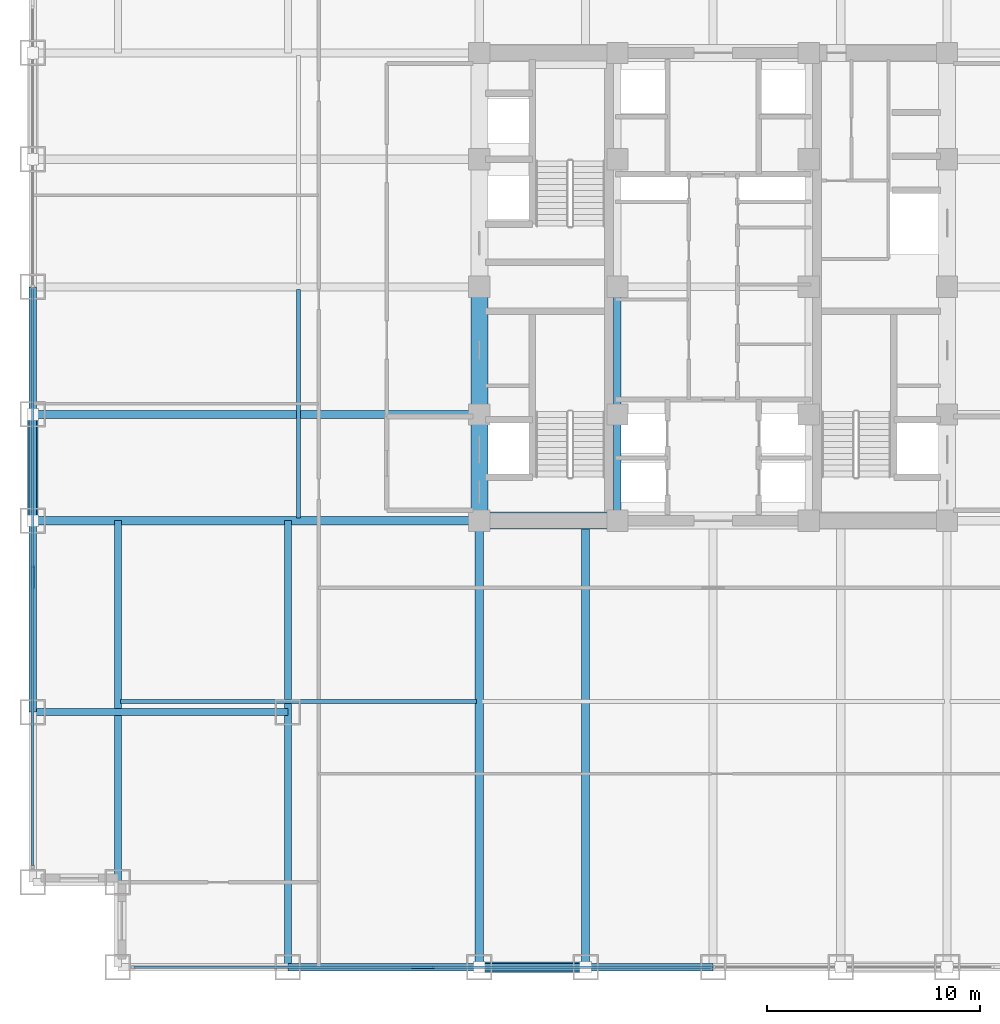
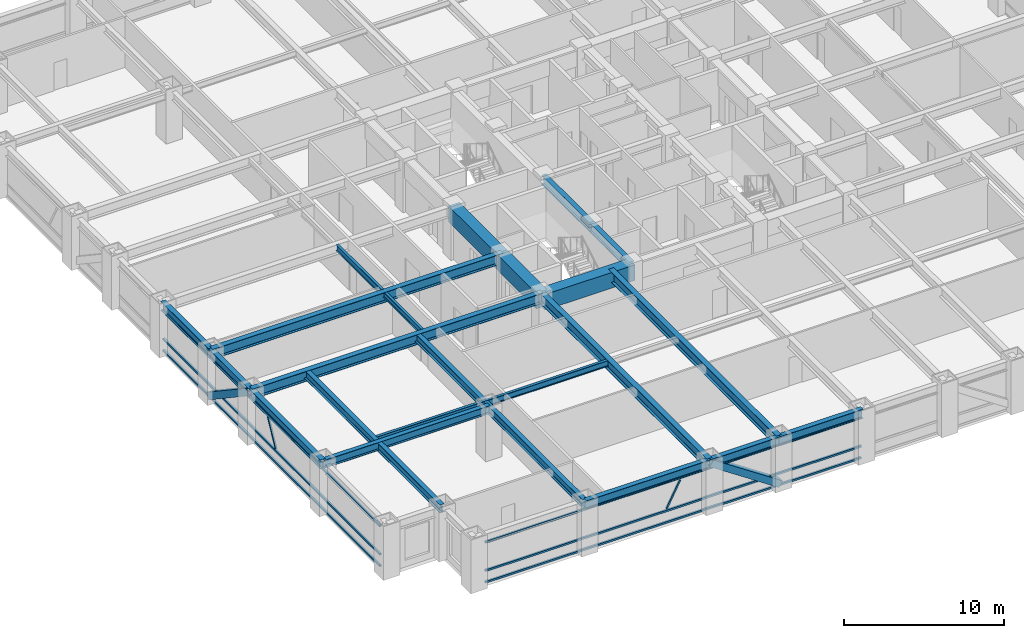
# One storey, part 3 of 28: 20 beams, 10 members, 2 elements without a shape of their own.
"""IFC4 building model written with IfcOpenShell, lengths in metres."""

from ifc_helpers import new_model, si_unit, direction, frame, origin, origin_2d, place, context, subcontext, project, spatial, rectangle, hollow_rectangle, i_section, extrude, source, transform, mapped, material, material_profile, profile_set, type_object, element, aggregate, save


model = new_model("IFC4")

# Units and contexts
model_context = context("Model", 3, precision=1e-05, world=origin(), true_north=direction((0.0, 1.0)))
body_context = subcontext(model_context, "Body", "Model", "MODEL_VIEW")
ifc_project = project(units=[si_unit("LENGTHUNIT", "METRE"), si_unit("AREAUNIT", "SQUARE_METRE"), si_unit("VOLUMEUNIT", "CUBIC_METRE"), si_unit("PLANEANGLEUNIT", "RADIAN"), si_unit("MASSUNIT", "GRAM", prefix="KILO")], contexts=[model_context])

# Site, building, storey
site_placement = place(None, origin())
site = spatial("IfcSite", under=ifc_project, at=site_placement, CompositionType="ELEMENT")
building_placement = place(site_placement, origin())
building = spatial("IfcBuilding", under=site, at=building_placement, Name="Khorayat Bourse Tower", CompositionType="ELEMENT")
storey_placement = place(building_placement, frame((0.0, 0.0, 116.0)))
storey = spatial("IfcBuildingStorey", under=building, at=storey_placement, Name="L26", CompositionType="ELEMENT", Elevation=116.0)

# Beams
ifc_material_1 = material(Name="Concrete C72/90", Category="concrete")
ifc_material_profile_1 = material_profile(ifc_material_1, rectangle(XDim=0.800048828125, YDim=1.199951171875, at=origin_2d()), Name="RC 800x1200")
ifc_profile_set_1 = profile_set([ifc_material_profile_1], Name="Concrete C72/90")
beam_type_1 = type_object("IfcBeamType", Name="BM-COUP-1200", PredefinedType="BEAM", material=ifc_profile_set_1)
shared_shape_1 = source(origin(), body_context, "Body", "SweptSolid", [
    extrude(rectangle(XDim=0.800048828125, YDim=1.199951171875, at=origin_2d()), origin(), (0.0, 0.0, 1.0), 5.0),
])
beam_1_placement = place(storey_placement, frame((-11.0, -11.0, 3.239990234375), z_axis=(0.0, 1.0, 0.0), x_axis=(-1.0, 0.0, 0.0)))
element("IfcBeam", 1, at=beam_1_placement, inside=storey, type_object=beam_type_1, Name="L26 BM-COUP-1200 BM-L26-CRX-01", PredefinedType="BEAM", context=body_context, shape_type="MappedRepresentation", body=[
    mapped(shared_shape_1, transform((0.0, 0.0, 0.0), scale=1.0)),
])
shared_shape_2 = source(origin(), body_context, "Body", "SweptSolid", [
    extrude(rectangle(XDim=0.800048828125, YDim=1.199951171875, at=origin_2d()), origin(), (0.0, 0.0, 1.0), 6.0),
])
beam_2_placement = place(storey_placement, frame((-11.0, -6.0, 3.239990234375), z_axis=(0.0, 1.0, 0.0), x_axis=(-1.0, 0.0, 0.0)))
element("IfcBeam", 2, at=beam_2_placement, inside=storey, type_object=beam_type_1, Name="L26 BM-COUP-1200 BM-L26-CRX-02", PredefinedType="BEAM", context=body_context, shape_type="MappedRepresentation", body=[
    mapped(shared_shape_2, transform((0.0, 0.0, 0.0), scale=1.0)),
])
ifc_material_2 = material(Name="Steel ASTM A992 Grade 50", Category="steel")
ifc_material_profile_2 = material_profile(ifc_material_2, i_section(OverallWidth=0.35498046875, OverallDepth=0.695068359375, WebThickness=0.015380859375, FlangeThickness=0.02490234375, FilletRadius=0.01806640625, at=origin_2d()), Name="W690X217")
ifc_profile_set_2 = profile_set([ifc_material_profile_2], Name="Steel ASTM A992 Grade 50")
beam_type_2 = type_object("IfcBeamType", Name="BM-GIRD-690", PredefinedType="BEAM", material=ifc_profile_set_2)
shared_shape_3 = source(origin(), body_context, "Body", "SweptSolid", [
    extrude(i_section(OverallWidth=0.35498046875, OverallDepth=0.695068359375, WebThickness=0.015380859375, FlangeThickness=0.02490234375, FilletRadius=0.01806640625, at=origin_2d()), origin(), (0.0, 0.0, 1.0), 5.0),
])
beam_3_placement = place(storey_placement, frame((-4.5, -11.0, 3.492431640625), z_axis=(0.0, 1.0, 0.0), x_axis=(-1.0, 0.0, 0.0)))
element("IfcBeam", 3, at=beam_3_placement, inside=storey, type_object=beam_type_2, Name="L26 BM-GIRD-690 BM-L26-CRX-05", PredefinedType="BEAM", context=body_context, shape_type="MappedRepresentation", body=[
    mapped(shared_shape_3, transform((0.0, 0.0, 0.0), scale=1.0)),
])
shared_shape_4 = source(origin(), body_context, "Body", "SweptSolid", [
    extrude(i_section(OverallWidth=0.35498046875, OverallDepth=0.695068359375, WebThickness=0.015380859375, FlangeThickness=0.02490234375, FilletRadius=0.01806640625, at=origin_2d()), origin(), (0.0, 0.0, 1.0), 6.0),
])
beam_4_placement = place(storey_placement, frame((-4.5, -6.0, 3.492431640625), z_axis=(0.0, 1.0, 0.0), x_axis=(-1.0, 0.0, 0.0)))
element("IfcBeam", 4, at=beam_4_placement, inside=storey, type_object=beam_type_2, Name="L26 BM-GIRD-690 BM-L26-CRX-06", PredefinedType="BEAM", context=body_context, shape_type="MappedRepresentation", body=[
    mapped(shared_shape_4, transform((0.0, 0.0, 0.0), scale=1.0)),
])
shared_shape_5 = source(origin(), body_context, "Body", "SweptSolid", [
    extrude(rectangle(XDim=0.800048828125, YDim=1.199951171875, at=origin_2d()), origin(), (0.0, 0.0, 1.0), 6.5),
])
beam_5_placement = place(storey_placement, frame((-11.0, -11.0, 3.239990234375), z_axis=(1.0, 0.0, 0.0), x_axis=(0.0, 1.0, 0.0)))
element("IfcBeam", 5, at=beam_5_placement, inside=storey, type_object=beam_type_1, Name="L26 BM-COUP-1200 BM-L26-CRY-17", PredefinedType="BEAM", context=body_context, shape_type="MappedRepresentation", body=[
    mapped(shared_shape_5, transform((0.0, 0.0, 0.0), scale=1.0)),
])
ifc_material_profile_3 = material_profile(ifc_material_2, i_section(OverallWidth=0.35498046875, OverallDepth=0.695068359375, WebThickness=0.015380859375, FlangeThickness=0.02490234375, FilletRadius=0.01806640625, at=origin_2d()), Name="W690X217")
ifc_profile_set_3 = profile_set([ifc_material_profile_3], Name="Steel ASTM A992 Grade 50")
beam_type_3 = type_object("IfcBeamType", Name="BM-SPAN-690", PredefinedType="SPANDREL", material=ifc_profile_set_3)
shared_shape_6 = source(origin(), body_context, "Body", "SweptSolid", [
    extrude(i_section(OverallWidth=0.35498046875, OverallDepth=0.695068359375, WebThickness=0.015380859375, FlangeThickness=0.02490234375, FilletRadius=0.01806640625, at=origin_2d()), origin(), (0.0, 0.0, 1.0), 9.0),
])
for number, where, z_axis, x_axis, name in (
    (6, (-20.0, -32.0, 3.492431640625), (1.0, 0.0, 0.0), (0.0, 1.0, 0.0), "L26 BM-SPAN-690 BM-L26-SPN-025"),
    (7, (-32.0, -20.0, 3.492431640625), (0.0, 1.0, 0.0), (-1.0, 0.0, 0.0), "L26 BM-SPAN-690 BM-L26-SPN-060"),
):
    element("IfcBeam", number, at=place(storey_placement, frame(where, z_axis=z_axis, x_axis=x_axis)), inside=storey, type_object=beam_type_3, Name=name, PredefinedType="SPANDREL", context=body_context, shape_type="MappedRepresentation", body=[
        mapped(shared_shape_6, transform((0.0, 0.0, 0.0), scale=1.0)),
    ])
shared_shape_7 = source(origin(), body_context, "Body", "SweptSolid", [
    extrude(i_section(OverallWidth=0.35498046875, OverallDepth=0.695068359375, WebThickness=0.015380859375, FlangeThickness=0.02490234375, FilletRadius=0.01806640625, at=origin_2d()), origin(), (0.0, 0.0, 1.0), 5.0),
])
for number, where, z_axis, x_axis, name in (
    (8, (-11.0, -32.0, 3.492431640625), (1.0, 0.0, 0.0), (0.0, 1.0, 0.0), "L26 BM-SPAN-690 BM-L26-SPN-026"),
    (9, (-32.0, -11.0, 3.492431640625), (0.0, 1.0, 0.0), (-1.0, 0.0, 0.0), "L26 BM-SPAN-690 BM-L26-SPN-059"),
):
    element("IfcBeam", number, at=place(storey_placement, frame(where, z_axis=z_axis, x_axis=x_axis)), inside=storey, type_object=beam_type_3, Name=name, PredefinedType="SPANDREL", context=body_context, shape_type="MappedRepresentation", body=[
        mapped(shared_shape_7, transform((0.0, 0.0, 0.0), scale=1.0)),
    ])
shared_shape_8 = source(origin(), body_context, "Body", "SweptSolid", [
    extrude(i_section(OverallWidth=0.35498046875, OverallDepth=0.695068359375, WebThickness=0.015380859375, FlangeThickness=0.02490234375, FilletRadius=0.01806640625, at=origin_2d()), origin(), (0.0, 0.0, 1.0), 6.0),
])
for number, where, z_axis, x_axis, name in (
    (10, (-6.0, -32.0, 3.492431640625), (1.0, 0.0, 0.0), (0.0, 1.0, 0.0), "L26 BM-SPAN-690 BM-L26-SPN-027"),
    (11, (-32.0, -6.0, 3.492431640625), (0.0, 1.0, 0.0), (-1.0, 0.0, 0.0), "L26 BM-SPAN-690 BM-L26-SPN-058"),
):
    element("IfcBeam", number, at=place(storey_placement, frame(where, z_axis=z_axis, x_axis=x_axis)), inside=storey, type_object=beam_type_3, Name=name, PredefinedType="SPANDREL", context=body_context, shape_type="MappedRepresentation", body=[
        mapped(shared_shape_8, transform((0.0, 0.0, 0.0), scale=1.0)),
    ])
ifc_material_profile_4 = material_profile(ifc_material_2, i_section(OverallWidth=0.324951171875, OverallDepth=0.615966796875, WebThickness=0.013916015625, FlangeThickness=0.021484375, FilletRadius=0.01611328125, at=origin_2d()), Name="W610X174")
ifc_profile_set_4 = profile_set([ifc_material_profile_4], Name="Steel ASTM A992 Grade 50")
beam_type_4 = type_object("IfcBeamType", Name="BM-GIRD-610", PredefinedType="BEAM", material=ifc_profile_set_4)
shared_shape_9 = source(origin(), body_context, "Body", "SweptSolid", [
    extrude(i_section(OverallWidth=0.324951171875, OverallDepth=0.615966796875, WebThickness=0.013916015625, FlangeThickness=0.021484375, FilletRadius=0.01611328125, at=origin_2d()), origin(), (0.0, 0.0, 1.0), 21.0),
])
beam_6_placement = place(storey_placement, frame((-20.0, -32.0, 3.531982421875), z_axis=(0.0, 1.0, 0.0), x_axis=(-1.0, 0.0, 0.0)))
element("IfcBeam", 12, at=beam_6_placement, inside=storey, type_object=beam_type_4, Name="L26 BM-GIRD-610 BM-L26-CNRY-084", PredefinedType="BEAM", context=body_context, shape_type="MappedRepresentation", body=[
    mapped(shared_shape_9, transform((0.0, 0.0, 0.0), scale=1.0)),
])
shared_shape_10 = source(origin(), body_context, "Body", "SweptSolid", [
    extrude(i_section(OverallWidth=0.324951171875, OverallDepth=0.615966796875, WebThickness=0.013916015625, FlangeThickness=0.021484375, FilletRadius=0.01611328125, at=origin_2d()), origin(), (0.0, 0.0, 1.0), 12.0),
])
beam_7_placement = place(storey_placement, frame((-32.0, -20.0, 3.531982421875), z_axis=(1.0, 0.0, 0.0), x_axis=(0.0, 1.0, 0.0)))
element("IfcBeam", 13, at=beam_7_placement, inside=storey, type_object=beam_type_4, Name="L26 BM-GIRD-610 BM-L26-CNRX-093", PredefinedType="BEAM", context=body_context, shape_type="MappedRepresentation", body=[
    mapped(shared_shape_10, transform((0.0, 0.0, 0.0), scale=1.0)),
])
ifc_material_profile_5 = material_profile(ifc_material_2, i_section(OverallWidth=0.194091796875, OverallDepth=0.468994140625, WebThickness=0.0126953125, FlangeThickness=0.0205078125, FilletRadius=0.012939453125, at=origin_2d()), Name="W460X106")
ifc_profile_set_5 = profile_set([ifc_material_profile_5], Name="Steel ASTM A992 Grade 50")
beam_type_5 = type_object("IfcBeamType", Name="BM-JOIST-460", PredefinedType="JOIST", material=ifc_profile_set_5)
shared_shape_11 = source(origin(), body_context, "Body", "SweptSolid", [
    extrude(i_section(OverallWidth=0.194091796875, OverallDepth=0.468994140625, WebThickness=0.0126953125, FlangeThickness=0.0205078125, FilletRadius=0.012939453125, at=origin_2d()), origin(), (0.0, 0.0, 1.0), 10.740234375),
])
beam_8_placement = place(storey_placement, frame((-19.5, -10.8701171875, 3.60546875), z_axis=(0.0, 1.0, 0.0), x_axis=(-1.0, 0.0, 0.0)))
element("IfcBeam", 14, at=beam_8_placement, inside=storey, type_object=beam_type_5, Name="L26 BM-JOIST-460 BM-L26-JSTY-102", PredefinedType="JOIST", context=body_context, shape_type="MappedRepresentation", body=[
    mapped(shared_shape_11, transform((0.0, 0.0, 0.0), scale=1.0)),
])
ifc_material_profile_6 = material_profile(ifc_material_2, i_section(OverallWidth=0.381103515625, OverallDepth=0.77294921875, WebThickness=0.0166015625, FlangeThickness=0.027587890625, FilletRadius=0.01806640625, at=origin_2d()), Name="W760X257")
ifc_profile_set_6 = profile_set([ifc_material_profile_6], Name="Steel ASTM A992 Grade 50")
beam_type_6 = type_object("IfcBeamType", Name="BM-GIRD-760", PredefinedType="BEAM", material=ifc_profile_set_6)
shared_shape_12 = source(origin(), body_context, "Body", "SweptSolid", [
    extrude(i_section(OverallWidth=0.381103515625, OverallDepth=0.77294921875, WebThickness=0.0166015625, FlangeThickness=0.027587890625, FilletRadius=0.01806640625, at=origin_2d()), origin(), (0.0, 0.0, 1.0), 21.0),
])
for number, where, z_axis, x_axis, name in (
    (15, (-11.0, -32.0, 3.45361328125), (0.0, 1.0, 0.0), (-1.0, 0.0, 0.0), "L26 BM-GIRD-760 BM-L26-RADY-065"),
    (16, (-6.0, -32.0, 3.45361328125), (0.0, 1.0, 0.0), (-1.0, 0.0, 0.0), "L26 BM-GIRD-760 BM-L26-RADY-067"),
    (17, (-32.0, -11.0, 3.45361328125), (1.0, 0.0, 0.0), (0.0, 1.0, 0.0), "L26 BM-GIRD-760 BM-L26-RADX-075"),
    (18, (-32.0, -6.0, 3.45361328125), (1.0, 0.0, 0.0), (0.0, 1.0, 0.0), "L26 BM-GIRD-760 BM-L26-RADX-077"),
):
    element("IfcBeam", number, at=place(storey_placement, frame(where, z_axis=z_axis, x_axis=x_axis)), inside=storey, type_object=beam_type_6, Name=name, PredefinedType="BEAM", context=body_context, shape_type="MappedRepresentation", body=[
        mapped(shared_shape_12, transform((0.0, 0.0, 0.0), scale=1.0)),
    ])
shared_shape_13 = source(origin(), body_context, "Body", "SweptSolid", [
    extrude(i_section(OverallWidth=0.324951171875, OverallDepth=0.615966796875, WebThickness=0.013916015625, FlangeThickness=0.021484375, FilletRadius=0.01611328125, at=origin_2d()), origin(), (0.0, 0.0, 1.0), 17.0),
])
beam_9_placement = place(storey_placement, frame((-28.0, -28.0, 3.531982421875), z_axis=(0.0, 1.0, 0.0), x_axis=(-1.0, 0.0, 0.0)))
element("IfcBeam", 19, at=beam_9_placement, inside=storey, type_object=beam_type_4, Name="L26 BM-GIRD-610 BM-L26-CNRY-088", PredefinedType="BEAM", context=body_context, shape_type="MappedRepresentation", body=[
    mapped(shared_shape_13, transform((0.0, 0.0, 0.0), scale=1.0)),
])
shared_shape_14 = source(origin(), body_context, "Body", "SweptSolid", [
    extrude(i_section(OverallWidth=0.194091796875, OverallDepth=0.468994140625, WebThickness=0.0126953125, FlangeThickness=0.0205078125, FilletRadius=0.012939453125, at=origin_2d()), origin(), (0.0, 0.0, 1.0), 16.740234375),
])
beam_10_placement = place(storey_placement, frame((-27.8701171875, -19.5, 3.60546875), z_axis=(1.0, 0.0, 0.0), x_axis=(0.0, 1.0, 0.0)))
element("IfcBeam", 20, at=beam_10_placement, inside=storey, type_object=beam_type_5, Name="L26 BM-JOIST-460 BM-L26-JSTX-096", PredefinedType="JOIST", context=body_context, shape_type="MappedRepresentation", body=[
    mapped(shared_shape_14, transform((0.0, 0.0, 0.0), scale=1.0)),
])

# Members
ifc_material_3 = material(Name="Steel EN 10025-4 S460M", Category="steel")
ifc_material_profile_7 = material_profile(ifc_material_3, hollow_rectangle(XDim=0.5, YDim=0.5, WallThickness=0.028076171875, at=origin_2d()), Name="HSS 500x500x28")
ifc_profile_set_7 = profile_set([ifc_material_profile_7], Name="Steel EN 10025-4 S460M")
member_type_1 = type_object("IfcMemberType", Name="MBR-TUBE-500", PredefinedType="BRACE", material=ifc_profile_set_7)
shared_shape_15 = source(origin(), body_context, "Body", "SweptSolid", [
    extrude(hollow_rectangle(XDim=0.5, YDim=0.5, WallThickness=0.028076171875, at=origin_2d()), origin(), (0.0, 0.0, 1.0), 6.012939453125),
])
for number, where, z_axis, x_axis, name in (
    (21, (-11.0, -32.0, 3.590087890625), (0.831531473026, 0.0, -0.555477640745), (0.0, 1.0, 0.0), "L26 Perimeter Tube Brace 01"),
    (22, (-32.0, -11.0, 3.590087890625), (0.0, 0.831531473026, -0.555477640745), (-1.0, 0.0, 0.0), "L26 Perimeter Tube Brace 05"),
):
    element("IfcMember", number, at=place(storey_placement, frame(where, z_axis=z_axis, x_axis=x_axis)), inside=storey, type_object=member_type_1, Name=name, PredefinedType="BRACE", context=body_context, shape_type="MappedRepresentation", body=[
        mapped(shared_shape_15, transform((0.0, 0.0, 0.0), scale=1.0)),
    ])

# Curtain wall, members
ifc_material_4 = material(Name="Aluminium EN AW-6063 T6", Category="aluminium")
curtain_wall_type = type_object("IfcCurtainWallType", Name="CW-SYS-02", PredefinedType="NOTDEFINED", material=ifc_material_4)
curtain_wall_1_placement = place(storey_placement, origin())
curtain_wall_1 = element("IfcCurtainWall", 23, at=curtain_wall_1_placement, inside=storey, type_object=curtain_wall_type, Name="L26 Curtain Wall CW-L26-S1", PredefinedType="NOTDEFINED")
ifc_material_profile_8 = material_profile(ifc_material_4, hollow_rectangle(XDim=0.139892578125, YDim=0.139892578125, WallThickness=0.006103515625, at=origin_2d()), Name="ALU 140x140x6")
ifc_profile_set_8 = profile_set([ifc_material_profile_8], Name="Aluminium EN AW-6063 T6")
member_type_2 = type_object("IfcMemberType", Name="CWT-HORZ-140", PredefinedType="USERDEFINED", material=ifc_profile_set_8)
shared_shape_16 = source(origin(), body_context, "Body", "SweptSolid", [
    extrude(hollow_rectangle(XDim=0.139892578125, YDim=0.139892578125, WallThickness=0.006103515625, at=origin_2d()), origin(), (0.0, 0.0, 1.0), 27.139892578125),
])
member_1_placement = place(storey_placement, frame((-27.2099609375, -32.0, 0.070068359375), z_axis=(1.0, 0.0, 0.0), x_axis=(0.0, 1.0, 0.0)))
member_1 = element("IfcMember", 24, at=member_1_placement, type_object=member_type_2, Name="CW-L26-S1 Horizontal Transom 1-1", ObjectType="TRANSOM", PredefinedType="USERDEFINED", context=body_context, shape_type="MappedRepresentation", body=[
    mapped(shared_shape_16, transform((0.0, 0.0, 0.0), scale=1.0)),
])
member_2_placement = place(storey_placement, frame((-27.2099609375, -32.0, 0.949951171875), z_axis=(1.0, 0.0, 0.0), x_axis=(0.0, 1.0, 0.0)))
member_2 = element("IfcMember", 25, at=member_2_placement, type_object=member_type_2, Name="CW-L26-S1 Horizontal Transom 1-2", ObjectType="TRANSOM", PredefinedType="USERDEFINED", context=body_context, shape_type="MappedRepresentation", body=[
    mapped(shared_shape_16, transform((0.0, 0.0, 0.0), scale=1.0)),
])
member_3_placement = place(storey_placement, frame((-27.2099609375, -32.0, 3.1201171875), z_axis=(1.0, 0.0, 0.0), x_axis=(0.0, 1.0, 0.0)))
member_3 = element("IfcMember", 26, at=member_3_placement, type_object=member_type_2, Name="CW-L26-S1 Horizontal Transom 1-3", ObjectType="TRANSOM", PredefinedType="USERDEFINED", context=body_context, shape_type="MappedRepresentation", body=[
    mapped(shared_shape_16, transform((0.0, 0.0, 0.0), scale=1.0)),
])

curtain_wall_2_placement = place(storey_placement, origin())
curtain_wall_2 = element("IfcCurtainWall", 27, at=curtain_wall_2_placement, inside=storey, type_object=curtain_wall_type, Name="L26 Curtain Wall CW-L26-W1", PredefinedType="NOTDEFINED")
member_4_placement = place(storey_placement, frame((-32.0, -27.2099609375, 0.070068359375), z_axis=(0.0, 1.0, 0.0), x_axis=(-1.0, 0.0, 0.0)))
member_4 = element("IfcMember", 28, at=member_4_placement, type_object=member_type_2, Name="CW-L26-W1 Horizontal Transom 1-1", ObjectType="TRANSOM", PredefinedType="USERDEFINED", context=body_context, shape_type="MappedRepresentation", body=[
    mapped(shared_shape_16, transform((0.0, 0.0, 0.0), scale=1.0)),
])
member_5_placement = place(storey_placement, frame((-32.0, -27.2099609375, 0.949951171875), z_axis=(0.0, 1.0, 0.0), x_axis=(-1.0, 0.0, 0.0)))
member_5 = element("IfcMember", 29, at=member_5_placement, type_object=member_type_2, Name="CW-L26-W1 Horizontal Transom 1-2", ObjectType="TRANSOM", PredefinedType="USERDEFINED", context=body_context, shape_type="MappedRepresentation", body=[
    mapped(shared_shape_16, transform((0.0, 0.0, 0.0), scale=1.0)),
])
member_6_placement = place(storey_placement, frame((-32.0, -27.2099609375, 3.1201171875), z_axis=(0.0, 1.0, 0.0), x_axis=(-1.0, 0.0, 0.0)))
member_6 = element("IfcMember", 30, at=member_6_placement, type_object=member_type_2, Name="CW-L26-W1 Horizontal Transom 1-3", ObjectType="TRANSOM", PredefinedType="USERDEFINED", context=body_context, shape_type="MappedRepresentation", body=[
    mapped(shared_shape_16, transform((0.0, 0.0, 0.0), scale=1.0)),
])

# Member
ifc_material_profile_9 = material_profile(ifc_material_4, hollow_rectangle(XDim=0.1201171875, YDim=0.1201171875, WallThickness=0.0048828125, at=origin_2d()), Name="ALU 120x120x5")
ifc_profile_set_9 = profile_set([ifc_material_profile_9], Name="Aluminium EN AW-6063 T6")
member_type_3 = type_object("IfcMemberType", Name="CWM-DIAG-120", PredefinedType="MULLION", material=ifc_profile_set_9)
shared_shape_17 = source(origin(), body_context, "Body", "SweptSolid", [
    extrude(hollow_rectangle(XDim=0.1201171875, YDim=0.1201171875, WallThickness=0.0048828125, at=origin_2d()), origin(), (0.0, 0.0, 1.0), 2.113037109375),
])
member_7_placement = place(storey_placement, frame((-14.132080078125, -32.0, 1.10009765625), z_axis=(0.465741670874, 0.0, 0.884920728659), x_axis=(0.0, 1.0, 0.0)))
member_7 = element("IfcMember", 31, at=member_7_placement, type_object=member_type_3, Name="CW-L26-S1 Faceted Diagonal Mullion 1", PredefinedType="MULLION", context=body_context, shape_type="MappedRepresentation", body=[
    mapped(shared_shape_17, transform((0.0, 0.0, 0.0), scale=1.0)),
])

aggregate(curtain_wall_1, [member_1, member_2, member_3, member_7])

member_8_placement = place(storey_placement, frame((-32.0, -14.132080078125, 1.10009765625), z_axis=(0.0, 0.465741670874, 0.884920728659), x_axis=(-1.0, 0.0, 0.0)))
member_8 = element("IfcMember", 32, at=member_8_placement, type_object=member_type_3, Name="CW-L26-W1 Faceted Diagonal Mullion 1", PredefinedType="MULLION", context=body_context, shape_type="MappedRepresentation", body=[
    mapped(shared_shape_17, transform((0.0, 0.0, 0.0), scale=1.0)),
])

aggregate(curtain_wall_2, [member_4, member_5, member_6, member_8])

save(model, "model.ifc")
